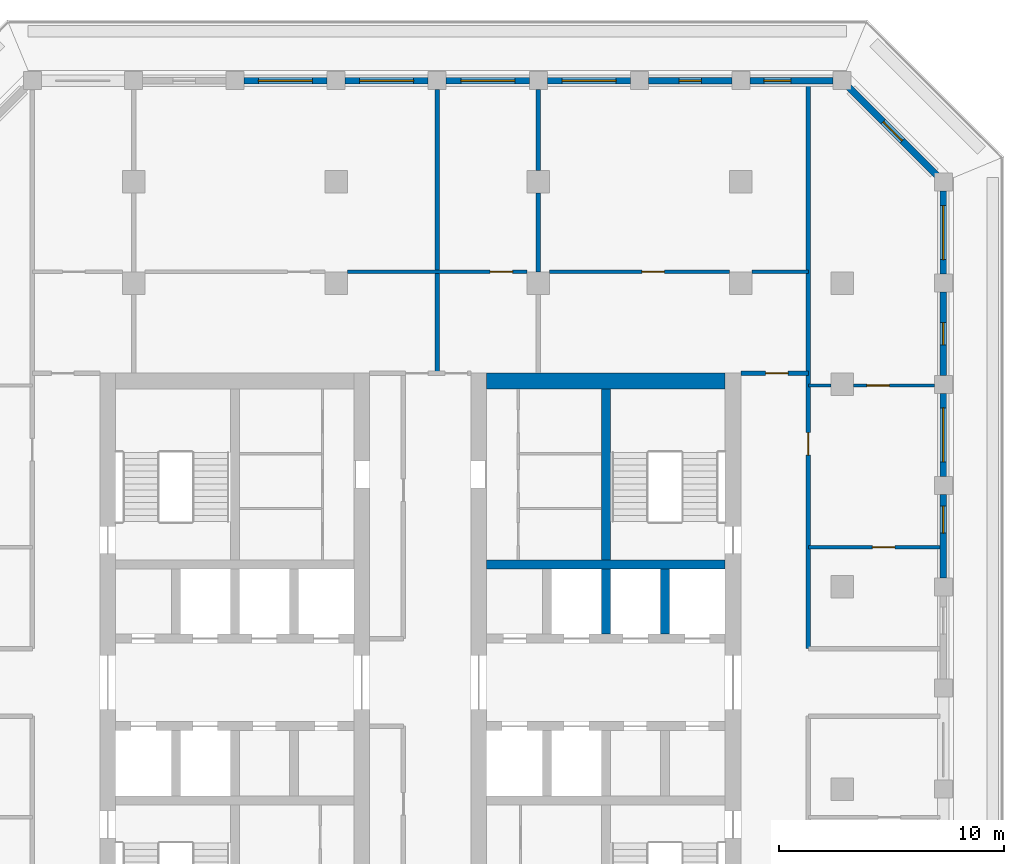
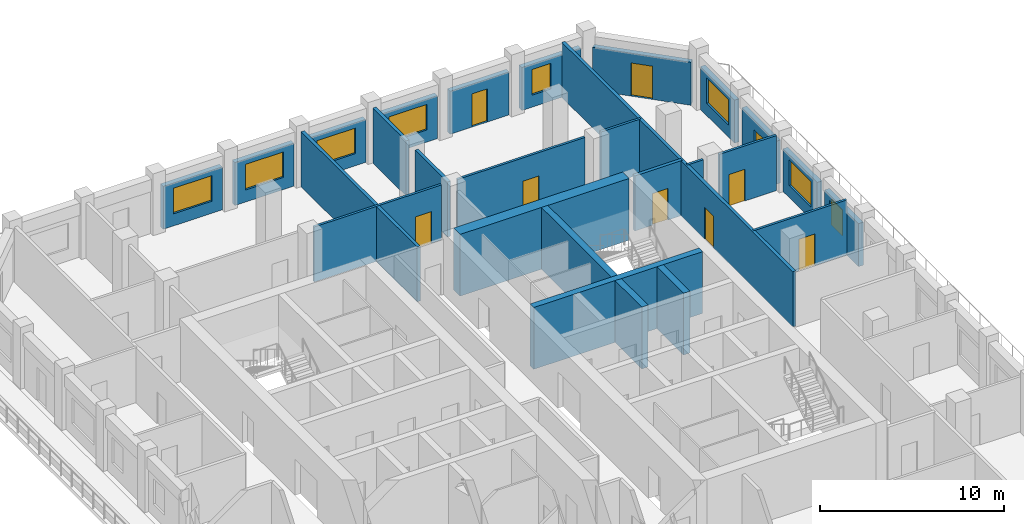
# One storey, part 7 of 17: 27 walls, 9 doors, 8 windows, 17 openings.
"""IFC4 building model written with IfcOpenShell, lengths in metres."""

from ifc_helpers import new_model, si_unit, direction, frame, frame_2d, origin, place, context, subcontext, project, spatial, rectangle, extrude, material, layer, layer_set, type_object, element, fill, save


model = new_model("IFC4")

# Units and contexts
model_context = context("Model", 3, precision=1e-05, world=origin(), true_north=direction((0.0, 1.0)))
body_context = subcontext(model_context, "Body", "Model", "MODEL_VIEW")
ifc_project = project(units=[si_unit("LENGTHUNIT", "METRE"), si_unit("AREAUNIT", "SQUARE_METRE"), si_unit("VOLUMEUNIT", "CUBIC_METRE"), si_unit("PLANEANGLEUNIT", "RADIAN"), si_unit("MASSUNIT", "GRAM", prefix="KILO")], contexts=[model_context])

# Site, building, storey
site_placement = place(None, origin())
site = spatial("IfcSite", under=ifc_project, at=site_placement, CompositionType="ELEMENT")
building_placement = place(site_placement, origin())
building = spatial("IfcBuilding", under=site, at=building_placement, Name="Corbel Stack Research Tower", CompositionType="ELEMENT")
storey_placement = place(building_placement, frame((0.0, 0.0, 243.89990234375)))
storey = spatial("IfcBuildingStorey", under=building, at=storey_placement, Name="L55", CompositionType="ELEMENT", Elevation=243.89990234375)

# Walls
ifc_material_1 = material(Name="Concrete C60/75", Category="concrete")
ifc_layer_1 = layer(ifc_material_1, 0.39990234375)
ifc_layer_set_1 = layer_set([ifc_layer_1], Name="Concrete C60/75")
wall_type_1 = type_object("IfcWallType", Name="CW-400-60", PredefinedType="SHEAR", material=ifc_layer_set_1)
wall_1_placement = place(storey_placement, frame((6.699951171875, 10.0, 0.0), z_axis=(0.0, 0.0, 1.0), x_axis=(1.0, 0.0, 0.0)))
element("IfcWall", 1, at=wall_1_placement, inside=storey, type_object=wall_type_1, Name="East core wall, north row back L55", PredefinedType="SHEAR", context=body_context, shape_type="SweptSolid", body=[
    extrude(rectangle(XDim=10.60009765625, YDim=0.39990234375, at=frame_2d((5.300048828125, 0.0))), origin(), (0.0, 0.0, 1.0), 4.10009765625),
])
for number, where, z_axis, x_axis, name in (
    (2, (12.0, 6.89990234375, 0.0), (0.0, 0.0, 1.0), (0.0, 1.0, 0.0), "East core wall, north shaft 2 L55"),
    (3, (14.625, 6.89990234375, 0.0), (0.0, 0.0, 1.0), (0.0, 1.0, 0.0), "East core wall, north shaft 3 L55"),
):
    element("IfcWall", number, at=place(storey_placement, frame(where, z_axis=z_axis, x_axis=x_axis)), inside=storey, type_object=wall_type_1, Name=name, PredefinedType="SHEAR", context=body_context, shape_type="SweptSolid", body=[
        extrude(rectangle(XDim=2.900146484375, YDim=0.39990234375, at=frame_2d((1.4501953125, 0.0))), origin(), (0.0, 0.0, 1.0), 4.10009765625),
    ])
wall_2_placement = place(storey_placement, frame((12.0, 10.199951171875, 0.0), z_axis=(0.0, 0.0, 1.0), x_axis=(0.0, 1.0, 0.0)))
element("IfcWall", 4, at=wall_2_placement, inside=storey, type_object=wall_type_1, Name="East core wall, north stair and riser L55", PredefinedType="SHEAR", context=body_context, shape_type="SweptSolid", body=[
    extrude(rectangle(XDim=7.60009765625, YDim=0.39990234375, at=frame_2d((3.800048828125, 0.0))), origin(), (0.0, 0.0, 1.0), 4.10009765625),
])
ifc_material_2 = material(Name="Concrete C60/75", Category="concrete")
ifc_layer_2 = layer(ifc_material_2, 0.699951171875)
ifc_layer_set_2 = layer_set([ifc_layer_2], Name="Concrete C60/75")
wall_type_2 = type_object("IfcWallType", Name="CW-700-60", PredefinedType="SHEAR", material=ifc_layer_set_2)
wall_3_placement = place(storey_placement, frame((6.699951171875, 18.14990234375, 0.0), z_axis=(0.0, 0.0, 1.0), x_axis=(1.0, 0.0, 0.0)))
element("IfcWall", 5, at=wall_3_placement, inside=storey, type_object=wall_type_2, Name="East core wall, north end L55", PredefinedType="SHEAR", context=body_context, shape_type="SweptSolid", body=[
    extrude(rectangle(XDim=10.60009765625, YDim=0.699951171875, at=frame_2d((5.300048828125, 0.0))), origin(), (0.0, 0.0, 1.0), 4.10009765625),
])
ifc_material_3 = material(Name="Fire-rated gypsum board partition on steel studs", Category="steel")
ifc_layer_3 = layer(ifc_material_3, 0.199951171875)
ifc_layer_set_3 = layer_set([ifc_layer_3], Name="Fire-rated gypsum board partition on steel studs")
wall_type_3 = type_object("IfcWallType", Name="Fire-rated partition 200 EI 60", PredefinedType="PARTITIONING", material=ifc_layer_set_3)
wall_4_placement = place(storey_placement, frame((4.5, 18.5, 0.0), z_axis=(0.0, 0.0, 1.0), x_axis=(0.0, 1.0, 0.0)))
element("IfcWall", 6, at=wall_4_placement, inside=storey, type_object=wall_type_3, Name="Partition L55-012", PredefinedType="PARTITIONING", context=body_context, shape_type="SweptSolid", body=[
    extrude(rectangle(XDim=12.60009765625, YDim=0.199951171875, at=frame_2d((6.300048828125, 0.0))), origin(), (0.0, 0.0, 1.0), 3.650146484375),
])
wall_5_placement = place(storey_placement, frame((9.0, 23.0, 0.0), z_axis=(0.0, 0.0, 1.0), x_axis=(0.0, 1.0, 0.0)))
element("IfcWall", 7, at=wall_5_placement, inside=storey, type_object=wall_type_3, Name="Partition L55-016", PredefinedType="PARTITIONING", context=body_context, shape_type="SweptSolid", body=[
    extrude(rectangle(XDim=3.5, YDim=0.199951171875, at=frame_2d((1.75, 0.0))), origin(), (0.0, 0.0, 1.0), 3.650146484375),
])
wall_6_placement = place(storey_placement, frame((9.0, 27.5, 0.0), z_axis=(0.0, 0.0, 1.0), x_axis=(0.0, 1.0, 0.0)))
element("IfcWall", 8, at=wall_6_placement, inside=storey, type_object=wall_type_3, Name="Partition L55-017", PredefinedType="PARTITIONING", context=body_context, shape_type="SweptSolid", body=[
    extrude(rectangle(XDim=3.60009765625, YDim=0.199951171875, at=frame_2d((1.800048828125, 0.0))), origin(), (0.0, 0.0, 1.0), 3.650146484375),
])

# Wall, opening, door
wall_7_placement = place(storey_placement, frame((21.0, 31.35009765625, 0.0), z_axis=(0.0, 0.0, 1.0), x_axis=(0.0, -1.0, 0.0)))
wall_7 = element("IfcWall", 9, at=wall_7_placement, inside=storey, type_object=wall_type_3, Name="Partition L55-019", PredefinedType="PARTITIONING", context=body_context, shape_type="SweptSolid", body=[
    extrude(rectangle(XDim=25.10009765625, YDim=0.199951171875, at=frame_2d((12.550048828125, 0.0))), origin(), (0.0, 0.0, 1.0), 3.650146484375),
])
opening_1_placement = place(wall_7_placement, frame((15.5, 0.0, 0.0)))
opening_1 = element("IfcOpeningElement", 10, at=opening_1_placement, cuts=wall_7, Name="Opening B7V1-027", PredefinedType="OPENING", context=body_context, shape_type="SweptSolid", body=[
    extrude(rectangle(XDim=1.0, YDim=2.10009765625, at=frame_2d((0.5, 1.050048828125))), frame((0.0, 0.10986328125, 0.0), z_axis=(0.0, -1.0, 0.0), x_axis=(1.0, 0.0, 0.0)), (0.0, 0.0, 1.0), 0.219970703125),
])
ifc_material_4 = material(Name="Painted steel fire door", Category="steel")
door_type_1 = type_object("IfcDoorType", Name="Fire door FD30S 1000 x 2100", OperationType="NOTDEFINED", PredefinedType="DOOR", material=ifc_material_4)
door_1_placement = place(opening_1_placement, origin())
door_1 = element("IfcDoor", 11, at=door_1_placement, inside=storey, type_object=door_type_1, Name="Door B7V1-027", OperationType="SINGLE_SWING_RIGHT", OverallHeight=2.10009765625, OverallWidth=1.0, PredefinedType="DOOR", context=body_context, shape_type="SweptSolid", body=[
    extrude(rectangle(XDim=1.0, YDim=2.10009765625, at=frame_2d((0.5, 1.050048828125))), frame((0.0, 0.02490234375, 0.0), z_axis=(0.0, -1.0, 0.0), x_axis=(1.0, 0.0, 0.0)), (0.0, 0.0, 1.0), 0.050048828125),
])
fill(opening_1, door_1)

wall_8_placement = place(storey_placement, frame((18.0, 18.5, 0.0), z_axis=(0.0, 0.0, 1.0), x_axis=(1.0, 0.0, 0.0)))
wall_8 = element("IfcWall", 12, at=wall_8_placement, inside=storey, type_object=wall_type_3, Name="Partition L55-044", PredefinedType="PARTITIONING", context=body_context, shape_type="SweptSolid", body=[
    extrude(rectangle(XDim=3.0, YDim=0.199951171875, at=frame_2d((1.5, 0.0))), origin(), (0.0, 0.0, 1.0), 3.650146484375),
])
opening_2_placement = place(wall_8_placement, frame((1.10009765625, 0.0, 0.0)))
opening_2 = element("IfcOpeningElement", 13, at=opening_2_placement, cuts=wall_8, Name="Opening B7V1-025", PredefinedType="OPENING", context=body_context, shape_type="SweptSolid", body=[
    extrude(rectangle(XDim=1.0, YDim=2.10009765625, at=frame_2d((0.5, 1.050048828125))), frame((0.0, 0.10986328125, 0.0), z_axis=(0.0, -1.0, 0.0), x_axis=(1.0, 0.0, 0.0)), (0.0, 0.0, 1.0), 0.219970703125),
])
door_2_placement = place(opening_2_placement, origin())
door_2 = element("IfcDoor", 14, at=door_2_placement, inside=storey, type_object=door_type_1, Name="Door B7V1-025", OperationType="SINGLE_SWING_RIGHT", OverallHeight=2.10009765625, OverallWidth=1.0, PredefinedType="DOOR", context=body_context, shape_type="SweptSolid", body=[
    extrude(rectangle(XDim=1.0, YDim=2.10009765625, at=frame_2d((0.5, 1.050048828125))), frame((0.0, 0.02490234375, 0.0), z_axis=(0.0, -1.0, 0.0), x_axis=(1.0, 0.0, 0.0)), (0.0, 0.0, 1.0), 0.050048828125),
])
fill(opening_2, door_2)

ifc_material_5 = material(Name="Gypsum board partition on steel studs", Category="steel")
ifc_layer_4 = layer(ifc_material_5, 0.14990234375)
ifc_layer_set_4 = layer_set([ifc_layer_4], Name="Gypsum board partition on steel studs")
wall_type_4 = type_object("IfcWallType", Name="Partition 150", PredefinedType="PARTITIONING", material=ifc_layer_set_4)
wall_9_placement = place(storey_placement, frame((26.85009765625, 10.75, 0.0), z_axis=(0.0, 0.0, 1.0), x_axis=(-1.0, 0.0, 0.0)))
wall_9 = element("IfcWall", 15, at=wall_9_placement, inside=storey, type_object=wall_type_4, Name="Partition L55-038", PredefinedType="PARTITIONING", context=body_context, shape_type="SweptSolid", body=[
    extrude(rectangle(XDim=5.85009765625, YDim=0.14990234375, at=frame_2d((2.925048828125, 0.0))), origin(), (0.0, 0.0, 1.0), 3.650146484375),
])
opening_3_placement = place(wall_9_placement, frame((2.0, 0.0, 0.0)))
opening_3 = element("IfcOpeningElement", 16, at=opening_3_placement, cuts=wall_9, Name="Opening B7V1-019", PredefinedType="OPENING", context=body_context, shape_type="SweptSolid", body=[
    extrude(rectangle(XDim=1.0, YDim=2.10009765625, at=frame_2d((0.5, 1.050048828125))), frame((0.0, 0.0849609375, 0.0), z_axis=(0.0, -1.0, 0.0), x_axis=(1.0, 0.0, 0.0)), (0.0, 0.0, 1.0), 0.169921875),
])
ifc_material_6 = material(Name="Painted timber door", Category="wood")
door_type_2 = type_object("IfcDoorType", Name="Single door 1000 x 2100", OperationType="NOTDEFINED", PredefinedType="DOOR", material=ifc_material_6)
door_3_placement = place(opening_3_placement, origin())
door_3 = element("IfcDoor", 17, at=door_3_placement, inside=storey, type_object=door_type_2, Name="Door B7V1-019", OperationType="SINGLE_SWING_LEFT", OverallHeight=2.10009765625, OverallWidth=1.0, PredefinedType="DOOR", context=body_context, shape_type="SweptSolid", body=[
    extrude(rectangle(XDim=1.0, YDim=2.10009765625, at=frame_2d((0.5, 1.050048828125))), frame((0.0, 0.02490234375, 0.0), z_axis=(0.0, -1.0, 0.0), x_axis=(1.0, 0.0, 0.0)), (0.0, 0.0, 1.0), 0.050048828125),
])
fill(opening_3, door_3)

# Wall
wall_10_placement = place(storey_placement, frame((21.0, 17.949951171875, 0.0), z_axis=(0.0, 0.0, 1.0), x_axis=(1.0, 0.0, 0.0)))
element("IfcWall", 18, at=wall_10_placement, inside=storey, type_object=wall_type_4, Name="Partition L55-040", PredefinedType="PARTITIONING", context=body_context, shape_type="SweptSolid", body=[
    extrude(rectangle(XDim=1.0, YDim=0.14990234375, at=frame_2d((0.5, 0.0))), origin(), (0.0, 0.0, 1.0), 3.650146484375),
])

# Wall, opening, door
wall_11_placement = place(storey_placement, frame((23.0, 17.949951171875, 0.0), z_axis=(0.0, 0.0, 1.0), x_axis=(1.0, 0.0, 0.0)))
wall_11 = element("IfcWall", 19, at=wall_11_placement, inside=storey, type_object=wall_type_4, Name="Partition L55-041", PredefinedType="PARTITIONING", context=body_context, shape_type="SweptSolid", body=[
    extrude(rectangle(XDim=3.60009765625, YDim=0.14990234375, at=frame_2d((1.800048828125, 0.0))), origin(), (0.0, 0.0, 1.0), 3.650146484375),
])
opening_4_placement = place(wall_11_placement, frame((0.60009765625, 0.0, 0.0)))
opening_4 = element("IfcOpeningElement", 20, at=opening_4_placement, cuts=wall_11, Name="Opening B7V1-021", PredefinedType="OPENING", context=body_context, shape_type="SweptSolid", body=[
    extrude(rectangle(XDim=1.0, YDim=2.10009765625, at=frame_2d((0.5, 1.050048828125))), frame((0.0, 0.0849609375, 0.0), z_axis=(0.0, -1.0, 0.0), x_axis=(1.0, 0.0, 0.0)), (0.0, 0.0, 1.0), 0.169921875),
])
door_4_placement = place(opening_4_placement, origin())
door_4 = element("IfcDoor", 21, at=door_4_placement, inside=storey, type_object=door_type_2, Name="Door B7V1-021", OperationType="SINGLE_SWING_LEFT", OverallHeight=2.10009765625, OverallWidth=1.0, PredefinedType="DOOR", context=body_context, shape_type="SweptSolid", body=[
    extrude(rectangle(XDim=1.0, YDim=2.10009765625, at=frame_2d((0.5, 1.050048828125))), frame((0.0, 0.02490234375, 0.0), z_axis=(0.0, -1.0, 0.0), x_axis=(1.0, 0.0, 0.0)), (0.0, 0.0, 1.0), 0.050048828125),
])
fill(opening_4, door_4)

wall_12_placement = place(storey_placement, frame((0.5, 23.0, 0.0), z_axis=(0.0, 0.0, 1.0), x_axis=(1.0, 0.0, 0.0)))
wall_12 = element("IfcWall", 22, at=wall_12_placement, inside=storey, type_object=wall_type_4, Name="Partition L55-047", PredefinedType="PARTITIONING", context=body_context, shape_type="SweptSolid", body=[
    extrude(rectangle(XDim=8.0, YDim=0.14990234375, at=frame_2d((4.0, 0.0))), origin(), (0.0, 0.0, 1.0), 3.650146484375),
])
opening_5_placement = place(wall_12_placement, frame((6.35009765625, 0.0, 0.0)))
opening_5 = element("IfcOpeningElement", 23, at=opening_5_placement, cuts=wall_12, Name="Opening B7V1-030", PredefinedType="OPENING", context=body_context, shape_type="SweptSolid", body=[
    extrude(rectangle(XDim=1.0, YDim=2.10009765625, at=frame_2d((0.5, 1.050048828125))), frame((0.0, 0.0849609375, 0.0), z_axis=(0.0, -1.0, 0.0), x_axis=(1.0, 0.0, 0.0)), (0.0, 0.0, 1.0), 0.169921875),
])
door_5_placement = place(opening_5_placement, origin())
door_5 = element("IfcDoor", 24, at=door_5_placement, inside=storey, type_object=door_type_2, Name="Door B7V1-030", OperationType="SINGLE_SWING_RIGHT", OverallHeight=2.10009765625, OverallWidth=1.0, PredefinedType="DOOR", context=body_context, shape_type="SweptSolid", body=[
    extrude(rectangle(XDim=1.0, YDim=2.10009765625, at=frame_2d((0.5, 1.050048828125))), frame((0.0, 0.02490234375, 0.0), z_axis=(0.0, -1.0, 0.0), x_axis=(1.0, 0.0, 0.0)), (0.0, 0.0, 1.0), 0.050048828125),
])
fill(opening_5, door_5)

wall_13_placement = place(storey_placement, frame((9.5, 23.0, 0.0), z_axis=(0.0, 0.0, 1.0), x_axis=(1.0, 0.0, 0.0)))
wall_13 = element("IfcWall", 25, at=wall_13_placement, inside=storey, type_object=wall_type_4, Name="Partition L55-048", PredefinedType="PARTITIONING", context=body_context, shape_type="SweptSolid", body=[
    extrude(rectangle(XDim=8.0, YDim=0.14990234375, at=frame_2d((4.0, 0.0))), origin(), (0.0, 0.0, 1.0), 3.650146484375),
])
opening_6_placement = place(wall_13_placement, frame((4.10009765625, 0.0, 0.0)))
opening_6 = element("IfcOpeningElement", 26, at=opening_6_placement, cuts=wall_13, Name="Opening B7V1-031", PredefinedType="OPENING", context=body_context, shape_type="SweptSolid", body=[
    extrude(rectangle(XDim=1.0, YDim=2.10009765625, at=frame_2d((0.5, 1.050048828125))), frame((0.0, 0.0849609375, 0.0), z_axis=(0.0, -1.0, 0.0), x_axis=(1.0, 0.0, 0.0)), (0.0, 0.0, 1.0), 0.169921875),
])
door_6_placement = place(opening_6_placement, origin())
door_6 = element("IfcDoor", 27, at=door_6_placement, inside=storey, type_object=door_type_2, Name="Door B7V1-031", OperationType="SINGLE_SWING_RIGHT", OverallHeight=2.10009765625, OverallWidth=1.0, PredefinedType="DOOR", context=body_context, shape_type="SweptSolid", body=[
    extrude(rectangle(XDim=1.0, YDim=2.10009765625, at=frame_2d((0.5, 1.050048828125))), frame((0.0, 0.02490234375, 0.0), z_axis=(0.0, -1.0, 0.0), x_axis=(1.0, 0.0, 0.0)), (0.0, 0.0, 1.0), 0.050048828125),
])
fill(opening_6, door_6)

# Wall
wall_14_placement = place(storey_placement, frame((18.5, 23.0, 0.0), z_axis=(0.0, 0.0, 1.0), x_axis=(1.0, 0.0, 0.0)))
element("IfcWall", 28, at=wall_14_placement, inside=storey, type_object=wall_type_4, Name="Partition L55-049", PredefinedType="PARTITIONING", context=body_context, shape_type="SweptSolid", body=[
    extrude(rectangle(XDim=2.5, YDim=0.14990234375, at=frame_2d((1.25, 0.0))), origin(), (0.0, 0.0, 1.0), 3.650146484375),
])

# Wall, opening, window
ifc_material_7 = material(Name="Concrete C45/55", Category="concrete")
ifc_layer_5 = layer(ifc_material_7, 0.300048828125)
ifc_layer_set_5 = layer_set([ifc_layer_5], Name="Concrete C45/55")
wall_type_5 = type_object("IfcWallType", Name="Terracotta-faced concrete wall 300", PredefinedType="SOLIDWALL", material=ifc_layer_set_5)
wall_15_placement = place(storey_placement, frame((27.0, 13.10009765625, 0.0), z_axis=(0.0, 0.0, 1.0), x_axis=(0.0, -1.0, 0.0)))
wall_15 = element("IfcWall", 29, at=wall_15_placement, inside=storey, type_object=wall_type_5, Name="Facade wall L55 E07", PredefinedType="SOLIDWALL", context=body_context, shape_type="SweptSolid", body=[
    extrude(rectangle(XDim=3.7001953125, YDim=0.300048828125, at=frame_2d((1.85009765625, 0.0))), origin(), (0.0, 0.0, 1.0), 2.85009765625),
])
opening_7_placement = place(wall_15_placement, frame((0.512451171875, 0.0, 0.800048828125)))
opening_7 = element("IfcOpeningElement", 30, at=opening_7_placement, cuts=wall_15, Name="Opening W2", PredefinedType="OPENING", context=body_context, shape_type="SweptSolid", body=[
    extrude(rectangle(XDim=1.199951171875, YDim=1.699951171875, at=frame_2d((0.60009765625, 0.85009765625))), frame((0.0, 0.159912109375, 0.0), z_axis=(0.0, -1.0, 0.0), x_axis=(1.0, 0.0, 0.0)), (0.0, 0.0, 1.0), 0.320068359375),
])
ifc_material_8 = material(Name="Aluminium frame, clear double glazing", Category="aluminium")
window_type_1 = type_object("IfcWindowType", Name="Window W2 1200 x 1700", PartitioningType="SINGLE_PANEL", PredefinedType="WINDOW", material=ifc_material_8)
window_1_placement = place(opening_7_placement, origin())
window_1 = element("IfcWindow", 31, at=window_1_placement, inside=storey, type_object=window_type_1, Name="Window W2 L55 E07", OverallHeight=1.699951171875, OverallWidth=1.199951171875, PartitioningType="SINGLE_PANEL", PredefinedType="WINDOW", context=body_context, shape_type="SweptSolid", body=[
    extrude(rectangle(XDim=1.199951171875, YDim=1.699951171875, at=frame_2d((0.60009765625, 0.85009765625))), frame((0.0, 0.030029296875, 0.0), z_axis=(0.0, -1.0, 0.0), x_axis=(1.0, 0.0, 0.0)), (0.0, 0.0, 1.0), 0.06005859375),
])
fill(opening_7, window_1)

wall_16_placement = place(storey_placement, frame((27.0, 17.60009765625, 0.0), z_axis=(0.0, 0.0, 1.0), x_axis=(0.0, -1.0, 0.0)))
wall_16 = element("IfcWall", 32, at=wall_16_placement, inside=storey, type_object=wall_type_5, Name="Facade wall L55 E08", PredefinedType="SOLIDWALL", context=body_context, shape_type="SweptSolid", body=[
    extrude(rectangle(XDim=3.7001953125, YDim=0.300048828125, at=frame_2d((1.85009765625, 0.0))), origin(), (0.0, 0.0, 1.0), 2.85009765625),
])
opening_8_placement = place(wall_16_placement, frame((0.64990234375, 0.0, 0.800048828125)))
opening_8 = element("IfcOpeningElement", 33, at=opening_8_placement, cuts=wall_16, Name="Opening W1", PredefinedType="OPENING", context=body_context, shape_type="SweptSolid", body=[
    extrude(rectangle(XDim=2.39990234375, YDim=1.699951171875, at=frame_2d((1.199951171875, 0.85009765625))), frame((0.0, 0.159912109375, 0.0), z_axis=(0.0, -1.0, 0.0), x_axis=(1.0, 0.0, 0.0)), (0.0, 0.0, 1.0), 0.320068359375),
])
ifc_material_9 = material(Name="Aluminium frame, clear double glazing", Category="aluminium")
window_type_2 = type_object("IfcWindowType", Name="Window W1 2400 x 1700", PartitioningType="SINGLE_PANEL", PredefinedType="WINDOW", material=ifc_material_9)
window_2_placement = place(opening_8_placement, origin())
window_2 = element("IfcWindow", 34, at=window_2_placement, inside=storey, type_object=window_type_2, Name="Window W1 L55 E08", OverallHeight=1.699951171875, OverallWidth=2.39990234375, PartitioningType="SINGLE_PANEL", PredefinedType="WINDOW", context=body_context, shape_type="SweptSolid", body=[
    extrude(rectangle(XDim=2.39990234375, YDim=1.699951171875, at=frame_2d((1.199951171875, 0.85009765625))), frame((0.0, 0.030029296875, 0.0), z_axis=(0.0, -1.0, 0.0), x_axis=(1.0, 0.0, 0.0)), (0.0, 0.0, 1.0), 0.06005859375),
])
fill(opening_8, window_2)

# Wall, opening, door
wall_17_placement = place(storey_placement, frame((27.0, 22.10009765625, 0.0), z_axis=(0.0, 0.0, 1.0), x_axis=(0.0, -1.0, 0.0)))
wall_17 = element("IfcWall", 35, at=wall_17_placement, inside=storey, type_object=wall_type_5, Name="Facade wall L55 E09", PredefinedType="SOLIDWALL", context=body_context, shape_type="SweptSolid", body=[
    extrude(rectangle(XDim=3.7001953125, YDim=0.300048828125, at=frame_2d((1.85009765625, 0.0))), origin(), (0.0, 0.0, 1.0), 2.85009765625),
])
opening_9_placement = place(wall_17_placement, frame((1.35009765625, 0.0, 0.0)))
opening_9 = element("IfcOpeningElement", 36, at=opening_9_placement, cuts=wall_17, Name="Opening L55-B05", PredefinedType="OPENING", context=body_context, shape_type="SweptSolid", body=[
    extrude(rectangle(XDim=1.0, YDim=2.199951171875, at=frame_2d((0.5, 1.10009765625))), frame((0.0, 0.159912109375, 0.0), z_axis=(0.0, -1.0, 0.0), x_axis=(1.0, 0.0, 0.0)), (0.0, 0.0, 1.0), 0.320068359375),
])
ifc_material_10 = material(Name="Aluminium frame, clear double glazing", Category="aluminium")
door_type_3 = type_object("IfcDoorType", Name="Balcony door BD1 1000 x 2200", OperationType="NOTDEFINED", PredefinedType="DOOR", material=ifc_material_10)
door_7_placement = place(opening_9_placement, origin())
door_7 = element("IfcDoor", 37, at=door_7_placement, inside=storey, type_object=door_type_3, Name="Balcony door L55-B05", OperationType="SINGLE_SWING_RIGHT", OverallHeight=2.199951171875, OverallWidth=1.0, PredefinedType="DOOR", context=body_context, shape_type="SweptSolid", body=[
    extrude(rectangle(XDim=1.0, YDim=2.199951171875, at=frame_2d((0.5, 1.10009765625))), frame((0.0, 0.02490234375, 0.0), z_axis=(0.0, -1.0, 0.0), x_axis=(1.0, 0.0, 0.0)), (0.0, 0.0, 1.0), 0.050048828125),
])
fill(opening_9, door_7)

# Wall, opening, window
wall_18_placement = place(storey_placement, frame((27.0, 26.60009765625, 0.0), z_axis=(0.0, 0.0, 1.0), x_axis=(0.0, -1.0, 0.0)))
wall_18 = element("IfcWall", 38, at=wall_18_placement, inside=storey, type_object=wall_type_5, Name="Facade wall L55 E10", PredefinedType="SOLIDWALL", context=body_context, shape_type="SweptSolid", body=[
    extrude(rectangle(XDim=3.7001953125, YDim=0.300048828125, at=frame_2d((1.85009765625, 0.0))), origin(), (0.0, 0.0, 1.0), 2.85009765625),
])
opening_10_placement = place(wall_18_placement, frame((0.64990234375, 0.0, 0.800048828125)))
opening_10 = element("IfcOpeningElement", 39, at=opening_10_placement, cuts=wall_18, Name="Opening W1", PredefinedType="OPENING", context=body_context, shape_type="SweptSolid", body=[
    extrude(rectangle(XDim=2.39990234375, YDim=1.699951171875, at=frame_2d((1.199951171875, 0.85009765625))), frame((0.0, 0.159912109375, 0.0), z_axis=(0.0, -1.0, 0.0), x_axis=(1.0, 0.0, 0.0)), (0.0, 0.0, 1.0), 0.320068359375),
])
window_3_placement = place(opening_10_placement, origin())
window_3 = element("IfcWindow", 40, at=window_3_placement, inside=storey, type_object=window_type_2, Name="Window W1 L55 E10", OverallHeight=1.699951171875, OverallWidth=2.39990234375, PartitioningType="SINGLE_PANEL", PredefinedType="WINDOW", context=body_context, shape_type="SweptSolid", body=[
    extrude(rectangle(XDim=2.39990234375, YDim=1.699951171875, at=frame_2d((1.199951171875, 0.85009765625))), frame((0.0, 0.030029296875, 0.0), z_axis=(0.0, -1.0, 0.0), x_axis=(1.0, 0.0, 0.0)), (0.0, 0.0, 1.0), 0.06005859375),
])
fill(opening_10, window_3)

# Wall, opening, door
wall_19_placement = place(storey_placement, frame((22.7939453125, 31.2060546875, 0.0), z_axis=(0.0, 0.0, 1.0), x_axis=(0.707106781187, -0.707106781187, 0.0)))
wall_19 = element("IfcWall", 41, at=wall_19_placement, inside=storey, type_object=wall_type_5, Name="Facade wall L55 NE01", PredefinedType="SOLIDWALL", context=body_context, shape_type="SweptSolid", body=[
    extrude(rectangle(XDim=5.532470703125, YDim=0.300048828125, at=frame_2d((2.76611328125, 0.0))), origin(), (0.0, 0.0, 1.0), 2.85009765625),
])
opening_11_placement = place(wall_19_placement, frame((2.166259765625, 0.0, 0.0)))
opening_11 = element("IfcOpeningElement", 42, at=opening_11_placement, cuts=wall_19, Name="Opening L55-B06", PredefinedType="OPENING", context=body_context, shape_type="SweptSolid", body=[
    extrude(rectangle(XDim=1.199951171875, YDim=2.199951171875, at=frame_2d((0.60009765625, 1.10009765625))), frame((0.0, 0.159912109375, 0.0), z_axis=(0.0, -1.0, 0.0), x_axis=(1.0, 0.0, 0.0)), (0.0, 0.0, 1.0), 0.320068359375),
])
ifc_material_11 = material(Name="Aluminium frame, clear double glazing", Category="aluminium")
door_type_4 = type_object("IfcDoorType", Name="Balcony door BD2 1200 x 2200", OperationType="NOTDEFINED", PredefinedType="DOOR", material=ifc_material_11)
door_8_placement = place(opening_11_placement, origin())
door_8 = element("IfcDoor", 43, at=door_8_placement, inside=storey, type_object=door_type_4, Name="Balcony door L55-B06", OperationType="SINGLE_SWING_RIGHT", OverallHeight=2.199951171875, OverallWidth=1.199951171875, PredefinedType="DOOR", context=body_context, shape_type="SweptSolid", body=[
    extrude(rectangle(XDim=1.199951171875, YDim=2.199951171875, at=frame_2d((0.60009765625, 1.10009765625))), frame((0.0, 0.02490234375, 0.0), z_axis=(0.0, -1.0, 0.0), x_axis=(1.0, 0.0, 0.0)), (0.0, 0.0, 1.0), 0.050048828125),
])
fill(opening_11, door_8)

# Wall, opening, window
wall_20_placement = place(storey_placement, frame((18.39990234375, 31.5, 0.0), z_axis=(0.0, 0.0, 1.0), x_axis=(1.0, 0.0, 0.0)))
wall_20 = element("IfcWall", 44, at=wall_20_placement, inside=storey, type_object=wall_type_5, Name="Facade wall L55 N01", PredefinedType="SOLIDWALL", context=body_context, shape_type="SweptSolid", body=[
    extrude(rectangle(XDim=3.7001953125, YDim=0.300048828125, at=frame_2d((1.85009765625, 0.0))), origin(), (0.0, 0.0, 1.0), 2.85009765625),
])
opening_12_placement = place(wall_20_placement, frame((0.625, 0.0, 0.800048828125)))
opening_12 = element("IfcOpeningElement", 45, at=opening_12_placement, cuts=wall_20, Name="Opening W2", PredefinedType="OPENING", context=body_context, shape_type="SweptSolid", body=[
    extrude(rectangle(XDim=1.199951171875, YDim=1.699951171875, at=frame_2d((0.60009765625, 0.85009765625))), frame((0.0, 0.159912109375, 0.0), z_axis=(0.0, -1.0, 0.0), x_axis=(1.0, 0.0, 0.0)), (0.0, 0.0, 1.0), 0.320068359375),
])
window_4_placement = place(opening_12_placement, origin())
window_4 = element("IfcWindow", 46, at=window_4_placement, inside=storey, type_object=window_type_1, Name="Window W2 L55 N01", OverallHeight=1.699951171875, OverallWidth=1.199951171875, PartitioningType="SINGLE_PANEL", PredefinedType="WINDOW", context=body_context, shape_type="SweptSolid", body=[
    extrude(rectangle(XDim=1.199951171875, YDim=1.699951171875, at=frame_2d((0.60009765625, 0.85009765625))), frame((0.0, 0.030029296875, 0.0), z_axis=(0.0, -1.0, 0.0), x_axis=(1.0, 0.0, 0.0)), (0.0, 0.0, 1.0), 0.06005859375),
])
fill(opening_12, window_4)

# Wall, opening, door
wall_21_placement = place(storey_placement, frame((13.89990234375, 31.5, 0.0), z_axis=(0.0, 0.0, 1.0), x_axis=(1.0, 0.0, 0.0)))
wall_21 = element("IfcWall", 47, at=wall_21_placement, inside=storey, type_object=wall_type_5, Name="Facade wall L55 N02", PredefinedType="SOLIDWALL", context=body_context, shape_type="SweptSolid", body=[
    extrude(rectangle(XDim=3.7001953125, YDim=0.300048828125, at=frame_2d((1.85009765625, 0.0))), origin(), (0.0, 0.0, 1.0), 2.85009765625),
])
opening_13_placement = place(wall_21_placement, frame((1.35009765625, 0.0, 0.0)))
opening_13 = element("IfcOpeningElement", 48, at=opening_13_placement, cuts=wall_21, Name="Opening L55-B07", PredefinedType="OPENING", context=body_context, shape_type="SweptSolid", body=[
    extrude(rectangle(XDim=1.0, YDim=2.199951171875, at=frame_2d((0.5, 1.10009765625))), frame((0.0, 0.159912109375, 0.0), z_axis=(0.0, -1.0, 0.0), x_axis=(1.0, 0.0, 0.0)), (0.0, 0.0, 1.0), 0.320068359375),
])
door_9_placement = place(opening_13_placement, origin())
door_9 = element("IfcDoor", 49, at=door_9_placement, inside=storey, type_object=door_type_3, Name="Balcony door L55-B07", OperationType="SINGLE_SWING_LEFT", OverallHeight=2.199951171875, OverallWidth=1.0, PredefinedType="DOOR", context=body_context, shape_type="SweptSolid", body=[
    extrude(rectangle(XDim=1.0, YDim=2.199951171875, at=frame_2d((0.5, 1.10009765625))), frame((0.0, 0.02490234375, 0.0), z_axis=(0.0, -1.0, 0.0), x_axis=(1.0, 0.0, 0.0)), (0.0, 0.0, 1.0), 0.050048828125),
])
fill(opening_13, door_9)

# Wall, opening, window
wall_22_placement = place(storey_placement, frame((9.39990234375, 31.5, 0.0), z_axis=(0.0, 0.0, 1.0), x_axis=(1.0, 0.0, 0.0)))
wall_22 = element("IfcWall", 50, at=wall_22_placement, inside=storey, type_object=wall_type_5, Name="Facade wall L55 N03", PredefinedType="SOLIDWALL", context=body_context, shape_type="SweptSolid", body=[
    extrude(rectangle(XDim=3.7001953125, YDim=0.300048828125, at=frame_2d((1.85009765625, 0.0))), origin(), (0.0, 0.0, 1.0), 2.85009765625),
])
opening_14_placement = place(wall_22_placement, frame((0.64990234375, 0.0, 0.800048828125)))
opening_14 = element("IfcOpeningElement", 51, at=opening_14_placement, cuts=wall_22, Name="Opening W1", PredefinedType="OPENING", context=body_context, shape_type="SweptSolid", body=[
    extrude(rectangle(XDim=2.39990234375, YDim=1.699951171875, at=frame_2d((1.199951171875, 0.85009765625))), frame((0.0, 0.159912109375, 0.0), z_axis=(0.0, -1.0, 0.0), x_axis=(1.0, 0.0, 0.0)), (0.0, 0.0, 1.0), 0.320068359375),
])
window_5_placement = place(opening_14_placement, origin())
window_5 = element("IfcWindow", 52, at=window_5_placement, inside=storey, type_object=window_type_2, Name="Window W1 L55 N03", OverallHeight=1.699951171875, OverallWidth=2.39990234375, PartitioningType="SINGLE_PANEL", PredefinedType="WINDOW", context=body_context, shape_type="SweptSolid", body=[
    extrude(rectangle(XDim=2.39990234375, YDim=1.699951171875, at=frame_2d((1.199951171875, 0.85009765625))), frame((0.0, 0.030029296875, 0.0), z_axis=(0.0, -1.0, 0.0), x_axis=(1.0, 0.0, 0.0)), (0.0, 0.0, 1.0), 0.06005859375),
])
fill(opening_14, window_5)

wall_23_placement = place(storey_placement, frame((4.89990234375, 31.5, 0.0), z_axis=(0.0, 0.0, 1.0), x_axis=(1.0, 0.0, 0.0)))
wall_23 = element("IfcWall", 53, at=wall_23_placement, inside=storey, type_object=wall_type_5, Name="Facade wall L55 N04", PredefinedType="SOLIDWALL", context=body_context, shape_type="SweptSolid", body=[
    extrude(rectangle(XDim=3.7001953125, YDim=0.300048828125, at=frame_2d((1.85009765625, 0.0))), origin(), (0.0, 0.0, 1.0), 2.85009765625),
])
opening_15_placement = place(wall_23_placement, frame((0.64990234375, 0.0, 0.800048828125)))
opening_15 = element("IfcOpeningElement", 54, at=opening_15_placement, cuts=wall_23, Name="Opening W1", PredefinedType="OPENING", context=body_context, shape_type="SweptSolid", body=[
    extrude(rectangle(XDim=2.39990234375, YDim=1.699951171875, at=frame_2d((1.199951171875, 0.85009765625))), frame((0.0, 0.159912109375, 0.0), z_axis=(0.0, -1.0, 0.0), x_axis=(1.0, 0.0, 0.0)), (0.0, 0.0, 1.0), 0.320068359375),
])
window_6_placement = place(opening_15_placement, origin())
window_6 = element("IfcWindow", 55, at=window_6_placement, inside=storey, type_object=window_type_2, Name="Window W1 L55 N04", OverallHeight=1.699951171875, OverallWidth=2.39990234375, PartitioningType="SINGLE_PANEL", PredefinedType="WINDOW", context=body_context, shape_type="SweptSolid", body=[
    extrude(rectangle(XDim=2.39990234375, YDim=1.699951171875, at=frame_2d((1.199951171875, 0.85009765625))), frame((0.0, 0.030029296875, 0.0), z_axis=(0.0, -1.0, 0.0), x_axis=(1.0, 0.0, 0.0)), (0.0, 0.0, 1.0), 0.06005859375),
])
fill(opening_15, window_6)

wall_24_placement = place(storey_placement, frame((0.39990234375, 31.5, 0.0), z_axis=(0.0, 0.0, 1.0), x_axis=(1.0, 0.0, 0.0)))
wall_24 = element("IfcWall", 56, at=wall_24_placement, inside=storey, type_object=wall_type_5, Name="Facade wall L55 N05", PredefinedType="SOLIDWALL", context=body_context, shape_type="SweptSolid", body=[
    extrude(rectangle(XDim=3.7001953125, YDim=0.300048828125, at=frame_2d((1.85009765625, 0.0))), origin(), (0.0, 0.0, 1.0), 2.85009765625),
])
opening_16_placement = place(wall_24_placement, frame((0.64990234375, 0.0, 0.800048828125)))
opening_16 = element("IfcOpeningElement", 57, at=opening_16_placement, cuts=wall_24, Name="Opening W1", PredefinedType="OPENING", context=body_context, shape_type="SweptSolid", body=[
    extrude(rectangle(XDim=2.39990234375, YDim=1.699951171875, at=frame_2d((1.199951171875, 0.85009765625))), frame((0.0, 0.159912109375, 0.0), z_axis=(0.0, -1.0, 0.0), x_axis=(1.0, 0.0, 0.0)), (0.0, 0.0, 1.0), 0.320068359375),
])
window_7_placement = place(opening_16_placement, origin())
window_7 = element("IfcWindow", 58, at=window_7_placement, inside=storey, type_object=window_type_2, Name="Window W1 L55 N05", OverallHeight=1.699951171875, OverallWidth=2.39990234375, PartitioningType="SINGLE_PANEL", PredefinedType="WINDOW", context=body_context, shape_type="SweptSolid", body=[
    extrude(rectangle(XDim=2.39990234375, YDim=1.699951171875, at=frame_2d((1.199951171875, 0.85009765625))), frame((0.0, 0.030029296875, 0.0), z_axis=(0.0, -1.0, 0.0), x_axis=(1.0, 0.0, 0.0)), (0.0, 0.0, 1.0), 0.06005859375),
])
fill(opening_16, window_7)

wall_25_placement = place(storey_placement, frame((-4.10009765625, 31.5, 0.0), z_axis=(0.0, 0.0, 1.0), x_axis=(1.0, 0.0, 0.0)))
wall_25 = element("IfcWall", 59, at=wall_25_placement, inside=storey, type_object=wall_type_5, Name="Facade wall L55 N06", PredefinedType="SOLIDWALL", context=body_context, shape_type="SweptSolid", body=[
    extrude(rectangle(XDim=3.7001953125, YDim=0.300048828125, at=frame_2d((1.85009765625, 0.0))), origin(), (0.0, 0.0, 1.0), 2.85009765625),
])
opening_17_placement = place(wall_25_placement, frame((0.64990234375, 0.0, 0.800048828125)))
opening_17 = element("IfcOpeningElement", 60, at=opening_17_placement, cuts=wall_25, Name="Opening W1", PredefinedType="OPENING", context=body_context, shape_type="SweptSolid", body=[
    extrude(rectangle(XDim=2.39990234375, YDim=1.699951171875, at=frame_2d((1.199951171875, 0.85009765625))), frame((0.0, 0.159912109375, 0.0), z_axis=(0.0, -1.0, 0.0), x_axis=(1.0, 0.0, 0.0)), (0.0, 0.0, 1.0), 0.320068359375),
])
window_8_placement = place(opening_17_placement, origin())
window_8 = element("IfcWindow", 61, at=window_8_placement, inside=storey, type_object=window_type_2, Name="Window W1 L55 N06", OverallHeight=1.699951171875, OverallWidth=2.39990234375, PartitioningType="SINGLE_PANEL", PredefinedType="WINDOW", context=body_context, shape_type="SweptSolid", body=[
    extrude(rectangle(XDim=2.39990234375, YDim=1.699951171875, at=frame_2d((1.199951171875, 0.85009765625))), frame((0.0, 0.030029296875, 0.0), z_axis=(0.0, -1.0, 0.0), x_axis=(1.0, 0.0, 0.0)), (0.0, 0.0, 1.0), 0.06005859375),
])
fill(opening_17, window_8)

save(model, "model.ifc")
